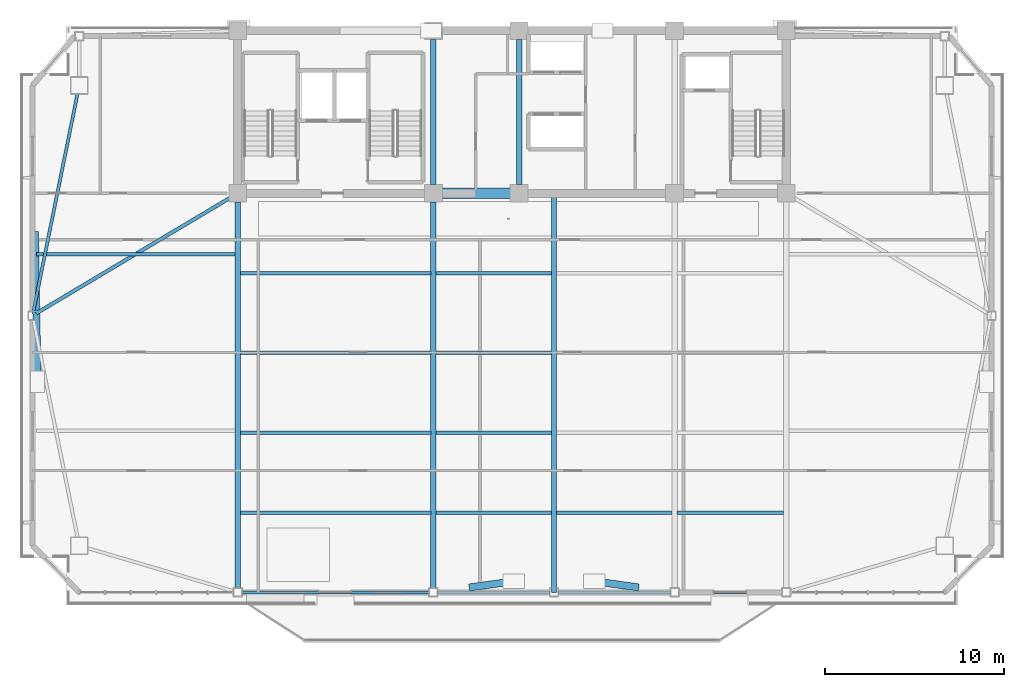
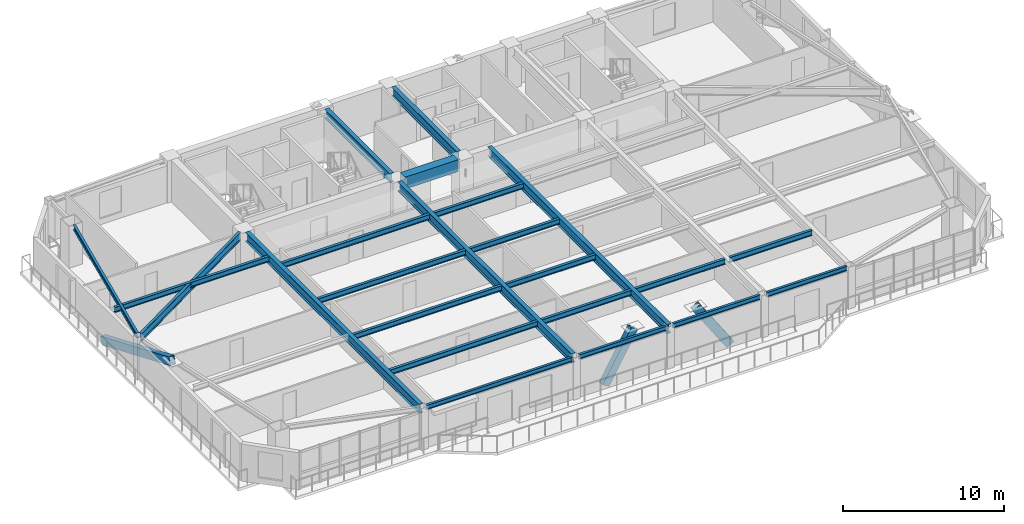
# One storey, part 3 of 17: 23 beams, 3 members.
"""IFC4 building model written with IfcOpenShell, lengths in metres."""

from ifc_helpers import new_model, si_unit, direction, frame, origin, origin_2d, place, context, subcontext, project, spatial, rectangle, hollow_rectangle, i_section, extrude, source, transform, mapped, material, material_profile, profile_set, type_object, element, save


model = new_model("IFC4")

# Units and contexts
model_context = context("Model", 3, precision=1e-05, world=origin(), true_north=direction((0.0, 1.0)))
body_context = subcontext(model_context, "Body", "Model", "MODEL_VIEW")
ifc_project = project(units=[si_unit("LENGTHUNIT", "METRE"), si_unit("AREAUNIT", "SQUARE_METRE"), si_unit("VOLUMEUNIT", "CUBIC_METRE"), si_unit("PLANEANGLEUNIT", "RADIAN"), si_unit("MASSUNIT", "GRAM", prefix="KILO")], contexts=[model_context])

# Site, building, storey
site_placement = place(None, origin())
site = spatial("IfcSite", under=ifc_project, at=site_placement, CompositionType="ELEMENT")
building_placement = place(site_placement, origin())
building = spatial("IfcBuilding", under=site, at=building_placement, Name="Giltprow Tower", CompositionType="ELEMENT")
storey_placement = place(building_placement, frame((0.0, 0.0, 251.89990234375)))
storey = spatial("IfcBuildingStorey", under=building, at=storey_placement, Name="L64", CompositionType="ELEMENT", Elevation=251.89990234375)

# Beams
ifc_material_1 = material(Name="Concrete C50", Category="concrete")
ifc_material_profile_1 = material_profile(ifc_material_1, rectangle(XDim=0.60009765625, YDim=0.89990234375, at=origin_2d()), Name="RC 900x600")
ifc_profile_set_1 = profile_set([ifc_material_profile_1], Name="Concrete C50")
beam_type_1 = type_object("IfcBeamType", Name="BM-CPL-RC900", PredefinedType="LINTEL", material=ifc_profile_set_1)
shared_shape_1 = source(origin(), body_context, "Body", "SweptSolid", [
    extrude(rectangle(XDim=0.60009765625, YDim=0.89990234375, at=origin_2d()), origin(), (0.0, 0.0, 1.0), 3.830078125),
])
beam_1_placement = place(storey_placement, frame((31.284912109375, 37.449951171875, 2.735107421875), z_axis=(1.0, 0.0, 0.0), x_axis=(0.0, 1.0, 0.0)))
element("IfcBeam", 1, at=beam_1_placement, inside=storey, type_object=beam_type_1, Name="L64 Core Coupling Beam CB-1", PredefinedType="LINTEL", context=body_context, shape_type="MappedRepresentation", body=[
    mapped(shared_shape_1, transform((0.0, 0.0, 0.0), x_axis=(1.0, 0.0, 0.0), y_axis=(0.0, 1.0, 0.0), z_axis=(0.0, 0.0, 1.0), scale=1.0)),
])
ifc_material_2 = material(Name="Structural steel Q355B", Category="steel")
ifc_material_profile_2 = material_profile(ifc_material_2, i_section(OverallWidth=0.300048828125, OverallDepth=0.699951171875, WebThickness=0.012939453125, FlangeThickness=0.02392578125, at=origin_2d()), Name="HN 700x300x13x24")
ifc_profile_set_2 = profile_set([ifc_material_profile_2], Name="Structural steel Q355B")
beam_type_2 = type_object("IfcBeamType", Name="BM-GIRD-HN700", PredefinedType="BEAM", material=ifc_profile_set_2)
shared_shape_2 = source(origin(), body_context, "Body", "SweptSolid", [
    extrude(i_section(OverallWidth=0.300048828125, OverallDepth=0.699951171875, WebThickness=0.012939453125, FlangeThickness=0.02392578125, at=origin_2d()), origin(), (0.0, 0.0, 1.0), 8.1298828125),
])
for number, where, z_axis, x_axis, name in (
    (2, (30.800048828125, 37.93505859375, 2.835205078125), (0.0, 1.0, 0.0), (-1.0, 0.0, 0.0), "L64 Core Tie Girder M1"),
    (3, (35.60009765625, 37.93505859375, 2.835205078125), (0.0, 1.0, 0.0), (-1.0, 0.0, 0.0), "L64 Core Tie Girder M2"),
):
    element("IfcBeam", number, at=place(storey_placement, frame(where, z_axis=z_axis, x_axis=x_axis)), inside=storey, type_object=beam_type_2, Name=name, PredefinedType="BEAM", context=body_context, shape_type="MappedRepresentation", body=[
        mapped(shared_shape_2, transform((0.0, 0.0, 0.0), x_axis=(1.0, 0.0, 0.0), y_axis=(0.0, 1.0, 0.0), z_axis=(0.0, 0.0, 1.0), scale=1.0)),
    ])
ifc_material_profile_3 = material_profile(ifc_material_2, i_section(OverallWidth=0.199951171875, OverallDepth=0.39990234375, WebThickness=0.008056640625, FlangeThickness=0.012939453125, at=origin_2d()), Name="HN 400x200x8x13")
ifc_profile_set_3 = profile_set([ifc_material_profile_3], Name="Structural steel Q355B")
beam_type_3 = type_object("IfcBeamType", Name="BM-JOIST-HN400", PredefinedType="JOIST", material=ifc_profile_set_3)
shared_shape_3 = source(origin(), body_context, "Body", "SweptSolid", [
    extrude(i_section(OverallWidth=0.199951171875, OverallDepth=0.39990234375, WebThickness=0.008056640625, FlangeThickness=0.012939453125, at=origin_2d()), origin(), (0.0, 0.0, 1.0), 10.659912109375),
])
for number, where, z_axis, x_axis, name in (
    (4, (19.9951171875, 19.580078125, 2.985107421875), (1.0, 0.0, 0.0), (0.0, 1.0, 0.0), "L64 Composite Floor Joist 1-1"),
    (5, (19.9951171875, 24.048095703125, 2.985107421875), (1.0, 0.0, 0.0), (0.0, 1.0, 0.0), "L64 Composite Floor Joist 2-1"),
    (6, (19.9951171875, 28.514892578125, 2.985107421875), (1.0, 0.0, 0.0), (0.0, 1.0, 0.0), "L64 Composite Floor Joist 3-1"),
    (7, (19.9951171875, 32.98291015625, 2.985107421875), (1.0, 0.0, 0.0), (0.0, 1.0, 0.0), "L64 Composite Floor Joist 4-1"),
):
    element("IfcBeam", number, at=place(storey_placement, frame(where, z_axis=z_axis, x_axis=x_axis)), inside=storey, type_object=beam_type_3, Name=name, PredefinedType="JOIST", context=body_context, shape_type="MappedRepresentation", body=[
        mapped(shared_shape_3, transform((0.0, 0.0, 0.0), x_axis=(1.0, 0.0, 0.0), y_axis=(0.0, 1.0, 0.0), z_axis=(0.0, 0.0, 1.0), scale=1.0)),
    ])
shared_shape_4 = source(origin(), body_context, "Body", "SweptSolid", [
    extrude(i_section(OverallWidth=0.199951171875, OverallDepth=0.39990234375, WebThickness=0.008056640625, FlangeThickness=0.012939453125, at=origin_2d()), origin(), (0.0, 0.0, 1.0), 6.4599609375),
])
for number, where, z_axis, x_axis, name in (
    (8, (30.945068359375, 19.580078125, 2.985107421875), (1.0, 0.0, 0.0), (0.0, 1.0, 0.0), "L64 Composite Floor Joist 1-2"),
    (9, (37.695068359375, 19.580078125, 2.985107421875), (1.0, 0.0, 0.0), (0.0, 1.0, 0.0), "L64 Composite Floor Joist 1-3"),
    (10, (30.945068359375, 24.048095703125, 2.985107421875), (1.0, 0.0, 0.0), (0.0, 1.0, 0.0), "L64 Composite Floor Joist 2-2"),
    (11, (30.945068359375, 28.514892578125, 2.985107421875), (1.0, 0.0, 0.0), (0.0, 1.0, 0.0), "L64 Composite Floor Joist 3-2"),
    (12, (30.945068359375, 32.98291015625, 2.985107421875), (1.0, 0.0, 0.0), (0.0, 1.0, 0.0), "L64 Composite Floor Joist 4-2"),
):
    element("IfcBeam", number, at=place(storey_placement, frame(where, z_axis=z_axis, x_axis=x_axis)), inside=storey, type_object=beam_type_3, Name=name, PredefinedType="JOIST", context=body_context, shape_type="MappedRepresentation", body=[
        mapped(shared_shape_4, transform((0.0, 0.0, 0.0), x_axis=(1.0, 0.0, 0.0), y_axis=(0.0, 1.0, 0.0), z_axis=(0.0, 0.0, 1.0), scale=1.0)),
    ])
shared_shape_5 = source(origin(), body_context, "Body", "SweptSolid", [
    extrude(i_section(OverallWidth=0.199951171875, OverallDepth=0.39990234375, WebThickness=0.008056640625, FlangeThickness=0.012939453125, at=origin_2d()), origin(), (0.0, 0.0, 1.0), 5.9599609375),
])
beam_2_placement = place(storey_placement, frame((44.445068359375, 19.580078125, 2.985107421875), z_axis=(1.0, 0.0, 0.0), x_axis=(0.0, 1.0, 0.0)))
element("IfcBeam", 13, at=beam_2_placement, inside=storey, type_object=beam_type_3, Name="L64 Composite Floor Joist 1-4", PredefinedType="JOIST", context=body_context, shape_type="MappedRepresentation", body=[
    mapped(shared_shape_5, transform((0.0, 0.0, 0.0), x_axis=(1.0, 0.0, 0.0), y_axis=(0.0, 1.0, 0.0), z_axis=(0.0, 0.0, 1.0), scale=1.0)),
])
ifc_material_profile_4 = material_profile(ifc_material_2, i_section(OverallWidth=0.175048828125, OverallDepth=0.35009765625, WebThickness=0.007080078125, FlangeThickness=0.010986328125, at=origin_2d()), Name="HN 350x175x7x11")
ifc_profile_set_4 = profile_set([ifc_material_profile_4], Name="Structural steel Q355B")
beam_type_4 = type_object("IfcBeamType", Name="BM-SPAN-HN350", PredefinedType="SPANDREL", material=ifc_profile_set_4)
shared_shape_6 = source(origin(), body_context, "Body", "SweptSolid", [
    extrude(i_section(OverallWidth=0.175048828125, OverallDepth=0.35009765625, WebThickness=0.007080078125, FlangeThickness=0.010986328125, at=origin_2d()), origin(), (0.0, 0.0, 1.0), 10.47998046875),
])
beam_3_placement = place(storey_placement, frame((20.0849609375, 15.113037109375, 3.010009765625), z_axis=(1.0, 0.0, 0.0), x_axis=(0.0, 1.0, 0.0)))
element("IfcBeam", 14, at=beam_3_placement, inside=storey, type_object=beam_type_4, Name="L64 Perimeter Spandrel Beam S1-S2", PredefinedType="SPANDREL", context=body_context, shape_type="MappedRepresentation", body=[
    mapped(shared_shape_6, transform((0.0, 0.0, 0.0), x_axis=(1.0, 0.0, 0.0), y_axis=(0.0, 1.0, 0.0), z_axis=(0.0, 0.0, 1.0), scale=1.0)),
])
shared_shape_7 = source(origin(), body_context, "Body", "SweptSolid", [
    extrude(i_section(OverallWidth=0.175048828125, OverallDepth=0.35009765625, WebThickness=0.007080078125, FlangeThickness=0.010986328125, at=origin_2d()), origin(), (0.0, 0.0, 1.0), 6.280029296875),
])
for number, where, z_axis, x_axis, name in (
    (15, (31.034912109375, 15.113037109375, 3.010009765625), (1.0, 0.0, 0.0), (0.0, 1.0, 0.0), "L64 Perimeter Spandrel Beam S2-S_MID"),
    (16, (37.784912109375, 15.113037109375, 3.010009765625), (1.0, 0.0, 0.0), (0.0, 1.0, 0.0), "L64 Perimeter Spandrel Beam S_MID-S3"),
):
    element("IfcBeam", number, at=place(storey_placement, frame(where, z_axis=z_axis, x_axis=x_axis)), inside=storey, type_object=beam_type_4, Name=name, PredefinedType="SPANDREL", context=body_context, shape_type="MappedRepresentation", body=[
        mapped(shared_shape_7, transform((0.0, 0.0, 0.0), x_axis=(1.0, 0.0, 0.0), y_axis=(0.0, 1.0, 0.0), z_axis=(0.0, 0.0, 1.0), scale=1.0)),
    ])
shared_shape_8 = source(origin(), body_context, "Body", "SweptSolid", [
    extrude(i_section(OverallWidth=0.175048828125, OverallDepth=0.35009765625, WebThickness=0.007080078125, FlangeThickness=0.010986328125, at=origin_2d()), origin(), (0.0, 0.0, 1.0), 5.780029296875),
])
beam_4_placement = place(storey_placement, frame((44.534912109375, 15.113037109375, 3.010009765625), z_axis=(1.0, 0.0, 0.0), x_axis=(0.0, 1.0, 0.0)))
element("IfcBeam", 17, at=beam_4_placement, inside=storey, type_object=beam_type_4, Name="L64 Perimeter Spandrel Beam S3-S4", PredefinedType="SPANDREL", context=body_context, shape_type="MappedRepresentation", body=[
    mapped(shared_shape_8, transform((0.0, 0.0, 0.0), x_axis=(1.0, 0.0, 0.0), y_axis=(0.0, 1.0, 0.0), z_axis=(0.0, 0.0, 1.0), scale=1.0)),
])
shared_shape_9 = source(origin(), body_context, "Body", "SweptSolid", [
    extrude(i_section(OverallWidth=0.175048828125, OverallDepth=0.35009765625, WebThickness=0.007080078125, FlangeThickness=0.010986328125, at=origin_2d()), origin(), (0.0, 0.0, 1.0), 12.42138671875),
])
beam_5_placement = place(storey_placement, frame((10.882080078125, 43.010009765625, 3.010009765625), z_axis=(-0.198946371851, -0.980010378071, 0.0), x_axis=(0.980010378071, -0.198946371851, 0.0)))
element("IfcBeam", 18, at=beam_5_placement, inside=storey, type_object=beam_type_4, Name="L64 Perimeter Spandrel Beam MC_NW-W_MID", PredefinedType="SPANDREL", context=body_context, shape_type="MappedRepresentation", body=[
    mapped(shared_shape_9, transform((0.0, 0.0, 0.0), x_axis=(1.0, 0.0, 0.0), y_axis=(0.0, 1.0, 0.0), z_axis=(0.0, 0.0, 1.0), scale=1.0)),
])
shared_shape_10 = source(origin(), body_context, "Body", "SweptSolid", [
    extrude(i_section(OverallWidth=0.300048828125, OverallDepth=0.699951171875, WebThickness=0.012939453125, FlangeThickness=0.02392578125, at=origin_2d()), origin(), (0.0, 0.0, 1.0), 21.6171875),
])
for number, where, z_axis, x_axis, name in (
    (19, (19.85009765625, 15.347900390625, 2.835205078125), (0.0, 1.0, 0.0), (-1.0, 0.0, 0.0), "L64 Primary Lease Girder S1"),
    (20, (30.800048828125, 15.347900390625, 2.835205078125), (0.0, 1.0, 0.0), (-1.0, 0.0, 0.0), "L64 Primary Lease Girder S2"),
):
    element("IfcBeam", number, at=place(storey_placement, frame(where, z_axis=z_axis, x_axis=x_axis)), inside=storey, type_object=beam_type_2, Name=name, PredefinedType="BEAM", context=body_context, shape_type="MappedRepresentation", body=[
        mapped(shared_shape_10, transform((0.0, 0.0, 0.0), x_axis=(1.0, 0.0, 0.0), y_axis=(0.0, 1.0, 0.0), z_axis=(0.0, 0.0, 1.0), scale=1.0)),
    ])
shared_shape_11 = source(origin(), body_context, "Body", "SweptSolid", [
    extrude(i_section(OverallWidth=0.300048828125, OverallDepth=0.699951171875, WebThickness=0.012939453125, FlangeThickness=0.02392578125, at=origin_2d()), origin(), (0.0, 0.0, 1.0), 22.3369140625),
])
beam_6_placement = place(storey_placement, frame((37.550048828125, 15.113037109375, 2.835205078125), z_axis=(0.0, 1.0, 0.0), x_axis=(-1.0, 0.0, 0.0)))
element("IfcBeam", 21, at=beam_6_placement, inside=storey, type_object=beam_type_2, Name="L64 Central Lease Girder SMID", PredefinedType="BEAM", context=body_context, shape_type="MappedRepresentation", body=[
    mapped(shared_shape_11, transform((0.0, 0.0, 0.0), x_axis=(1.0, 0.0, 0.0), y_axis=(0.0, 1.0, 0.0), z_axis=(0.0, 0.0, 1.0), scale=1.0)),
])
ifc_material_profile_5 = material_profile(ifc_material_2, i_section(OverallWidth=0.199951171875, OverallDepth=0.60009765625, WebThickness=0.010986328125, FlangeThickness=0.01708984375, at=origin_2d()), Name="HN 600x200x11x17")
ifc_profile_set_5 = profile_set([ifc_material_profile_5], Name="Structural steel Q355B")
beam_type_5 = type_object("IfcBeamType", Name="BM-GIRD-HN600", PredefinedType="BEAM", material=ifc_profile_set_5)
shared_shape_12 = source(origin(), body_context, "Body", "SweptSolid", [
    extrude(i_section(OverallWidth=0.199951171875, OverallDepth=0.60009765625, WebThickness=0.010986328125, FlangeThickness=0.01708984375, at=origin_2d()), origin(), (0.0, 0.0, 1.0), 12.64990234375),
])
beam_7_placement = place(storey_placement, frame((8.56591796875, 30.72705078125, 2.885009765625), z_axis=(0.859074279173, 0.511850938128, 0.0), x_axis=(-0.511850938128, 0.859074279173, 0.0)))
element("IfcBeam", 22, at=beam_7_placement, inside=storey, type_object=beam_type_5, Name="L64 West Wing Primary Girder", PredefinedType="BEAM", context=body_context, shape_type="MappedRepresentation", body=[
    mapped(shared_shape_12, transform((0.0, 0.0, 0.0), x_axis=(1.0, 0.0, 0.0), y_axis=(0.0, 1.0, 0.0), z_axis=(0.0, 0.0, 1.0), scale=1.0)),
])
shared_shape_13 = source(origin(), body_context, "Body", "SweptSolid", [
    extrude(i_section(OverallWidth=0.199951171875, OverallDepth=0.39990234375, WebThickness=0.008056640625, FlangeThickness=0.012939453125, at=origin_2d()), origin(), (0.0, 0.0, 1.0), 11.12109375),
])
beam_8_placement = place(storey_placement, frame((8.583984375, 34.029052734375, 2.985107421875), z_axis=(1.0, 0.0, 0.0), x_axis=(0.0, 1.0, 0.0)))
element("IfcBeam", 23, at=beam_8_placement, inside=storey, type_object=beam_type_3, Name="L64 West Wing Floor Joist 2", PredefinedType="JOIST", context=body_context, shape_type="MappedRepresentation", body=[
    mapped(shared_shape_13, transform((0.0, 0.0, 0.0), x_axis=(1.0, 0.0, 0.0), y_axis=(0.0, 1.0, 0.0), z_axis=(0.0, 0.0, 1.0), scale=1.0)),
])

# Members
ifc_material_3 = material(Name="Structural steel Q420GJC", Category="steel")
ifc_material_profile_6 = material_profile(ifc_material_3, hollow_rectangle(XDim=0.39990234375, YDim=0.60009765625, WallThickness=0.028076171875, at=origin_2d()), Name="RHS 600x400x28")
ifc_profile_set_6 = profile_set([ifc_material_profile_6], Name="Structural steel Q420GJC")
member_type = type_object("IfcMemberType", Name="MBR-MEGA-RHS600", PredefinedType="BRACE", material=ifc_profile_set_6)
shared_shape_14 = source(origin(), body_context, "Body", "SweptSolid", [
    extrude(hollow_rectangle(XDim=0.39990234375, YDim=0.60009765625, WallThickness=0.028076171875, at=origin_2d()), origin(), (0.0, 0.0, 1.0), 4.0888671875),
])
for number, where, z_axis, x_axis, name in (
    (24, (33.050048828125, 15.424072265625, 0.0), (0.550264025079, 0.075768776891, 0.831545906822), (-0.136408234601, 0.990652710859, 0.0), "L64 Chevron Mega-Brace S-L"),
    (25, (42.050048828125, 15.424072265625, 0.0), (-0.550264025079, 0.075768776891, 0.831545906822), (-0.136408234601, -0.990652710859, 0.0), "L64 Chevron Mega-Brace S-R"),
):
    element("IfcMember", number, at=place(storey_placement, frame(where, z_axis=z_axis, x_axis=x_axis)), inside=storey, type_object=member_type, Name=name, PredefinedType="BRACE", context=body_context, shape_type="MappedRepresentation", body=[
        mapped(shared_shape_14, transform((0.0, 0.0, 0.0), x_axis=(1.0, 0.0, 0.0), y_axis=(0.0, 1.0, 0.0), z_axis=(0.0, 0.0, 1.0), scale=1.0)),
    ])
shared_shape_15 = source(origin(), body_context, "Body", "SweptSolid", [
    extrude(hollow_rectangle(XDim=0.39990234375, YDim=0.60009765625, WallThickness=0.028076171875, at=origin_2d()), origin(), (0.0, 0.0, 1.0), 8.962158203125),
])
member_placement = place(storey_placement, frame((8.501953125, 35.195068359375, 0.0), z_axis=(0.015527428514, -0.925107846204, 0.379386836693), x_axis=(0.999859170835, 0.016782088556, 0.0)))
element("IfcMember", 26, at=member_placement, inside=storey, type_object=member_type, Name="L64 Chevron Mega-Brace W-D", PredefinedType="BRACE", context=body_context, shape_type="MappedRepresentation", body=[
    mapped(shared_shape_15, transform((0.0, 0.0, 0.0), x_axis=(1.0, 0.0, 0.0), y_axis=(0.0, 1.0, 0.0), z_axis=(0.0, 0.0, 1.0), scale=1.0)),
])

save(model, "model.ifc")
